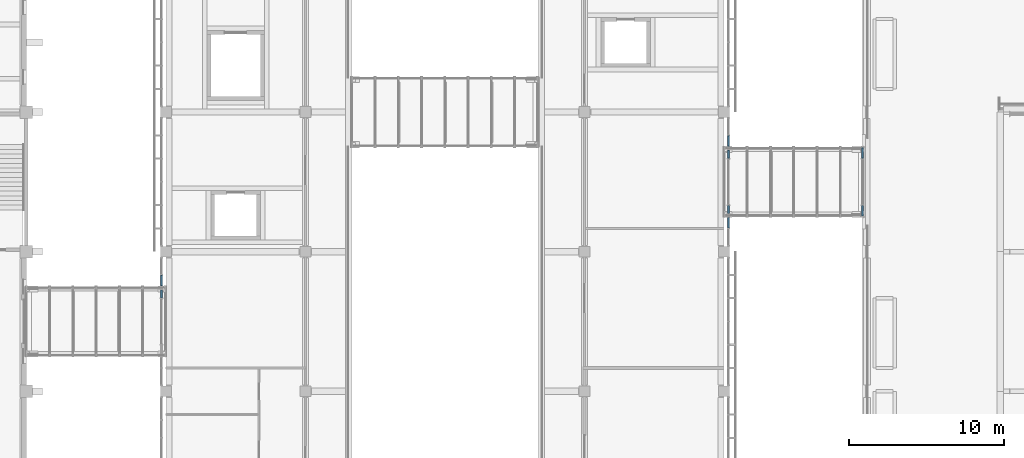
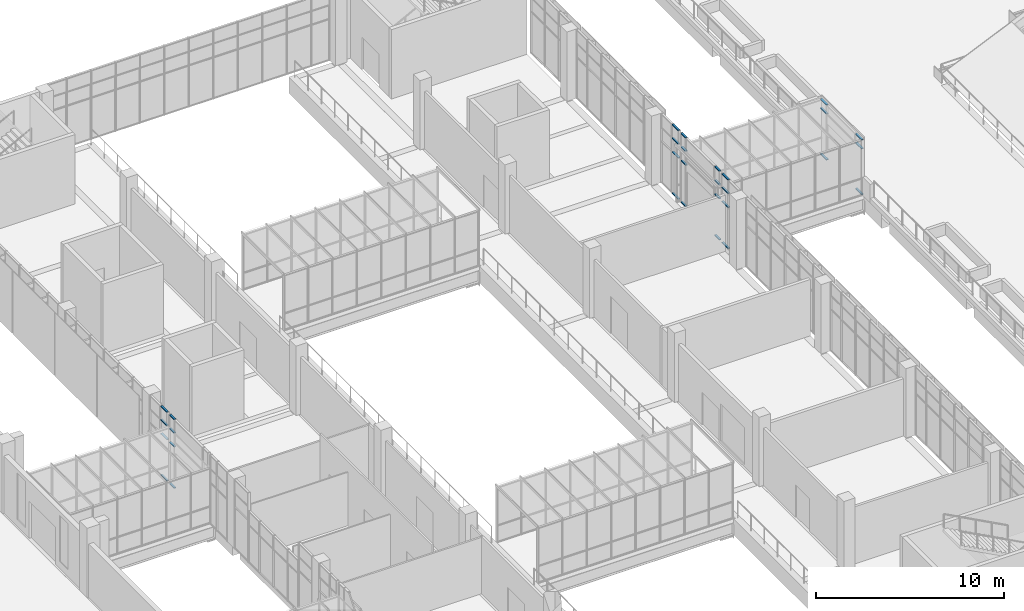
# One storey, part 48 of 106: 30 members, 6 elements without a shape of their own.
"""IFC4 building model written with IfcOpenShell, lengths in metres."""

import ifcopenshell
import ifcopenshell.guid

model = None  # the IFC model being written
_history = None  # IfcOwnerHistory: only IFC2X3 demands one
_inside = {}  # id of a spatial element -> (the spatial element, [elements in it])
_under = {}  # id of a project, library or spatial element -> (it, [spatial elements below it])
_declared = {}  # id of a project -> (the project, [libraries it declares])
_typed = {}  # id of a type object -> (the type object, [elements of that type])
_made_of = {}  # id of a material, layer set ... -> (it, [elements and type objects made of it])


def new_model(schema):
    """Start an empty IFC model of exactly this schema.

    Asked for "IFC4X3", IfcOpenShell would pick the latest addendum, in which some entities
    have other attributes; the version numbers below select the first issue.
    IFC2X3 requires an IfcOwnerHistory on every rooted entity: one is made here for all.
    """
    global model, _history
    if schema == "IFC4X3":
        model = ifcopenshell.file(schema_version=(4, 3, 0, 0))
    else:
        model = ifcopenshell.file(schema=schema)
    _inside.clear()
    _under.clear()
    _declared.clear()
    _typed.clear()
    _made_of.clear()
    _history = None
    if model.schema == "IFC2X3":
        org = make("IfcOrganization", Name="unknown")
        user = make(
            "IfcPersonAndOrganization",
            ThePerson=make("IfcPerson", FamilyName="unknown"),
            TheOrganization=org,
        )
        app = make(
            "IfcApplication",
            ApplicationDeveloper=org,
            Version="unknown",
            ApplicationFullName="unknown",
            ApplicationIdentifier="unknown",
        )
        _history = make(
            "IfcOwnerHistory",
            OwningUser=user,
            OwningApplication=app,
            ChangeAction="ADDED",
            CreationDate=0,
        )
    return model


def make(cls, **values):
    """One entity of the class cls with the attributes given. An attribute that is None is left unset."""
    return model.create_entity(
        cls, **{name: value for name, value in values.items() if value is not None}
    )


def rooted(cls, **values):
    """An entity with a GlobalId (a new one), such as an element, a storey or a relation."""
    return make(cls, GlobalId=ifcopenshell.guid.new(), OwnerHistory=_history, **values)


def si_unit(unit_type, name, prefix=None):
    """IfcSIUnit, for example si_unit("LENGTHUNIT", "METRE", prefix="MILLI")."""
    return make("IfcSIUnit", UnitType=unit_type, Prefix=prefix, Name=name)


def assignment(units):
    """IfcUnitAssignment: the units of a project."""
    return None if units is None else make("IfcUnitAssignment", Units=units)


def point(xyz):
    """IfcCartesianPoint."""
    return None if xyz is None else make("IfcCartesianPoint", Coordinates=xyz)


def direction(xyz):
    """IfcDirection."""
    return None if xyz is None else make("IfcDirection", DirectionRatios=xyz)


def frame(location, z_axis=None, x_axis=None):
    """IfcAxis2Placement3D, a coordinate frame: its origin and axes. An axis left out is left unset."""
    return make(
        "IfcAxis2Placement3D",
        Location=point(location),
        Axis=direction(z_axis),
        RefDirection=direction(x_axis),
    )


def frame_2d(location, x_axis=None):
    """IfcAxis2Placement2D, a coordinate frame in the plane: its origin and x axis."""
    return make(
        "IfcAxis2Placement2D", Location=point(location), RefDirection=direction(x_axis)
    )


def origin():
    """The frame at (0, 0, 0) with its axes left unset."""
    return frame((0.0, 0.0, 0.0))


def origin_2d():
    """The frame at (0, 0) in the plane with its x axis left unset."""
    return frame_2d((0.0, 0.0))


def place(relative_to, where):
    """IfcLocalPlacement: puts the frame where relative to a parent placement (None: the world)."""
    return make(
        "IfcLocalPlacement", PlacementRelTo=relative_to, RelativePlacement=where
    )


def context(
    kind, dimensions, precision=None, world=None, true_north=None, identifier=None
):
    """IfcGeometricRepresentationContext, for example the 3D "Model" context."""
    return make(
        "IfcGeometricRepresentationContext",
        ContextIdentifier=identifier,
        ContextType=kind,
        CoordinateSpaceDimension=dimensions,
        Precision=precision,
        WorldCoordinateSystem=world,
        TrueNorth=true_north,
    )


def subcontext(parent, identifier, kind, view, scale=None):
    """IfcGeometricRepresentationSubContext, for example "Body" below "Model"."""
    return make(
        "IfcGeometricRepresentationSubContext",
        ContextIdentifier=identifier,
        ContextType=kind,
        ParentContext=parent,
        TargetScale=scale,
        TargetView=view,
    )


def project(units=None, contexts=None):
    """IfcProject with its units and contexts."""
    return rooted(
        "IfcProject",
        Name="project",
        RepresentationContexts=contexts,
        UnitsInContext=assignment(units),
    )


def spatial(cls, under=None, at=None, **own):
    """A site, building, storey or space (cls), placed at a placement, below another one or the project."""
    s = rooted(cls, ObjectPlacement=at, **own)
    if under is not None:
        _under.setdefault(under.id(), (under, []))[1].append(s)
    return s


def profile(cls, at=None, kind="AREA", **sizes):
    """A parametric profile (cls). Its sizes go by their IFC names, for example OverallWidth=200.0."""
    return make(cls, ProfileType=kind, Position=at, **sizes)


def rectangle(**sizes):
    """IfcRectangleProfileDef."""
    return profile("IfcRectangleProfileDef", **sizes)


def extrude(swept, where, along, depth):
    """IfcExtrudedAreaSolid: the profile swept, set in the frame where, extruded along a direction by depth."""
    return make(
        "IfcExtrudedAreaSolid",
        SweptArea=swept,
        Position=where,
        ExtrudedDirection=direction(along),
        Depth=depth,
    )


def shape(context_of_items, identifier, shape_type, items):
    """IfcShapeRepresentation: the items that make up one representation, for example the "Body"."""
    return make(
        "IfcShapeRepresentation",
        ContextOfItems=context_of_items,
        RepresentationIdentifier=identifier,
        RepresentationType=shape_type,
        Items=items,
    )


def material(Name=None, Category=None):
    """IfcMaterial."""
    return make("IfcMaterial", Name=Name, Category=Category)


def layer(
    of_material, thickness, ventilated=None, Name=None, Category=None, Priority=None
):
    """IfcMaterialLayer: one layer of a wall or slab, of a material (None: an air gap)."""
    return make(
        "IfcMaterialLayer",
        Material=of_material,
        LayerThickness=thickness,
        IsVentilated=ventilated,
        Name=Name,
        Category=Category,
        Priority=Priority,
    )


def layer_set(layers, Name=None):
    """IfcMaterialLayerSet."""
    return make("IfcMaterialLayerSet", MaterialLayers=layers, LayerSetName=Name)


def material_profile(
    of_material, cross_section, Name=None, Category=None, Priority=None
):
    """IfcMaterialProfile: a cross section and its material."""
    return make(
        "IfcMaterialProfile",
        Name=Name,
        Material=of_material,
        Profile=cross_section,
        Priority=Priority,
        Category=Category,
    )


def profile_set(profiles, Name=None, composite=None):
    """IfcMaterialProfileSet."""
    return make(
        "IfcMaterialProfileSet",
        Name=Name,
        MaterialProfiles=profiles,
        CompositeProfile=composite,
    )


def made_of(thing, what):
    """Note that an element or type object is made of a material, layer set ...; save() writes the relation."""
    if what is not None:
        _made_of.setdefault(what.id(), (what, []))[1].append(thing)
    return thing


def type_object(cls, material=None, **own):
    """A type object (cls), such as IfcWallType, which elements share."""
    return made_of(rooted(cls, **own), material)


def element(
    cls,
    number,
    at=None,
    inside=None,
    cuts=None,
    type_object=None,
    material=None,
    context=None,
    identifier="Body",
    shape_type=None,
    held_by="IfcProductDefinitionShape",
    body=None,
    shapes=None,
    **own,
):
    """One element of the class cls, such as IfcWall. Its Tag is "e" and its number.

    at: its placement. inside: the storey or other place that contains it. cuts: it is an
    opening in that element (IfcRelVoidsElement). A single representation is given by context,
    identifier, shape_type and body (its items); several are given by shapes. held_by: the class
    of the entity that holds the representations. save() writes the other relations.
    """
    e = rooted(cls, Tag="e%d" % number, ObjectPlacement=at, **own)
    if body is not None:
        shapes = [shape(context, identifier, shape_type, body)]
    if shapes is not None:
        e.Representation = make(held_by, Representations=shapes)
    if inside is not None:
        _inside.setdefault(inside.id(), (inside, []))[1].append(e)
    if cuts is not None:
        rooted(
            "IfcRelVoidsElement", RelatingBuildingElement=cuts, RelatedOpeningElement=e
        )
    if type_object is not None:
        _typed.setdefault(type_object.id(), (type_object, []))[1].append(e)
    return made_of(e, material)


def aggregate(whole, parts):
    """IfcRelAggregates: a whole, such as a stair, and the parts it consists of."""
    return rooted("IfcRelAggregates", RelatingObject=whole, RelatedObjects=parts)


def save(model, path):
    """Write the relations noted so far, then the file.

    IfcRelAggregates (storeys below a building ...), IfcRelContainedInSpatialStructure (elements
    in a storey), IfcRelDefinesByType, IfcRelAssociatesMaterial and IfcRelDeclares: one each for
    every whole, place, type object, material and project.
    """
    for whole, parts in _under.values():
        aggregate(whole, parts)
    for where, things in _inside.values():
        rooted(
            "IfcRelContainedInSpatialStructure",
            RelatedElements=things,
            RelatingStructure=where,
        )
    for kind, things in _typed.values():
        rooted("IfcRelDefinesByType", RelatedObjects=things, RelatingType=kind)
    for what, things in _made_of.values():
        rooted("IfcRelAssociatesMaterial", RelatedObjects=things, RelatingMaterial=what)
    for by, libraries in _declared.values():
        rooted("IfcRelDeclares", RelatingContext=by, RelatedDefinitions=libraries)
    model.write(path)


model = new_model("IFC4")

# Units and contexts
model_context = context("Model", 3, precision=1e-05, world=origin(), true_north=direction((0.0, 1.0)))
body_context = subcontext(model_context, "Body", "Model", "MODEL_VIEW")
ifc_project = project(units=[si_unit("LENGTHUNIT", "METRE"), si_unit("AREAUNIT", "SQUARE_METRE"), si_unit("VOLUMEUNIT", "CUBIC_METRE"), si_unit("PLANEANGLEUNIT", "RADIAN"), si_unit("MASSUNIT", "GRAM", prefix="KILO")], contexts=[model_context])

# Site, building, storey
site_placement = place(None, origin())
site = spatial("IfcSite", under=ifc_project, at=site_placement, CompositionType="ELEMENT")
building_placement = place(site_placement, origin())
building = spatial("IfcBuilding", under=site, at=building_placement, Name="Guidao Yard Department Store", CompositionType="ELEMENT")
storey_placement = place(building_placement, frame((0.0, 0.0, 10.5)))
storey = spatial("IfcBuildingStorey", under=building, at=storey_placement, Name="L02", CompositionType="ELEMENT", Elevation=10.5)

# Curtain wall, members
ifc_material_1 = material(Name="Aluminium and glass", Category="aluminium")
ifc_layer_1 = layer(ifc_material_1, 0.159912109375)
ifc_layer_set_1 = layer_set([ifc_layer_1], Name="Shopfront curtain wall CW1 1500 module")
curtain_wall_type_1 = type_object("IfcCurtainWallType", Name="Shopfront curtain wall CW1 1500 module", PredefinedType="NOTDEFINED", material=ifc_layer_set_1)
curtain_wall_1_placement = place(storey_placement, origin())
curtain_wall_1 = element("IfcCurtainWall", 1, at=curtain_wall_1_placement, inside=storey, type_object=curtain_wall_type_1, Name="Arcade shop front", PredefinedType="NOTDEFINED")
ifc_material_2 = material(Name="Aluminium 6063-T5", Category="aluminium")
ifc_material_profile = material_profile(ifc_material_2, rectangle(XDim=0.1201171875, YDim=0.06005859375, at=origin_2d()), Name="Transom T1 60 x 120 aluminium pressure plate")
ifc_profile_set = profile_set([ifc_material_profile], Name="Aluminium 6063-T5")
member_type = type_object("IfcMemberType", Name="Transom T1 60 x 120 aluminium pressure plate", PredefinedType="USERDEFINED", material=ifc_profile_set)
member_1_placement = place(storey_placement, frame((71.719970703125, 78.030029296875, 0.030029296875), z_axis=(0.0, 1.0, 0.0), x_axis=(-1.0, 0.0, 0.0)))
member_1 = element("IfcMember", 2, at=member_1_placement, type_object=member_type, Name="CW-AS-L02-09 transom 3.1", ObjectType="TRANSOM", PredefinedType="USERDEFINED", context=body_context, shape_type="SweptSolid", body=[
    extrude(rectangle(XDim=0.1201171875, YDim=0.06005859375, at=origin_2d()), origin(), (0.0, 0.0, 1.0), 0.5),
])
member_2_placement = place(storey_placement, frame((71.719970703125, 78.030029296875, 2.699951171875), z_axis=(0.0, 1.0, 0.0), x_axis=(-1.0, 0.0, 0.0)))
member_2 = element("IfcMember", 3, at=member_2_placement, type_object=member_type, Name="CW-AS-L02-09 transom 3.2", ObjectType="TRANSOM", PredefinedType="USERDEFINED", context=body_context, shape_type="SweptSolid", body=[
    extrude(rectangle(XDim=0.1201171875, YDim=0.06005859375, at=origin_2d()), origin(), (0.0, 0.0, 1.0), 0.5),
])
member_3_placement = place(storey_placement, frame((71.719970703125, 78.030029296875, 3.60009765625), z_axis=(0.0, 1.0, 0.0), x_axis=(-1.0, 0.0, 0.0)))
member_3 = element("IfcMember", 4, at=member_3_placement, type_object=member_type, Name="CW-AS-L02-09 transom 3.3", ObjectType="TRANSOM", PredefinedType="USERDEFINED", context=body_context, shape_type="SweptSolid", body=[
    extrude(rectangle(XDim=0.1201171875, YDim=0.06005859375, at=origin_2d()), origin(), (0.0, 0.0, 1.0), 0.5),
])
member_4_placement = place(storey_placement, frame((71.719970703125, 78.030029296875, 4.469970703125), z_axis=(0.0, 1.0, 0.0), x_axis=(-1.0, 0.0, 0.0)))
member_4 = element("IfcMember", 5, at=member_4_placement, type_object=member_type, Name="CW-AS-L02-09 transom 3.4", ObjectType="TRANSOM", PredefinedType="USERDEFINED", context=body_context, shape_type="SweptSolid", body=[
    extrude(rectangle(XDim=0.1201171875, YDim=0.06005859375, at=origin_2d()), origin(), (0.0, 0.0, 1.0), 0.5),
])
aggregate(curtain_wall_1, [member_1, member_2, member_3, member_4])

curtain_wall_2_placement = place(storey_placement, origin())
curtain_wall_2 = element("IfcCurtainWall", 6, at=curtain_wall_2_placement, inside=storey, type_object=curtain_wall_type_1, Name="Arcade shop front", PredefinedType="NOTDEFINED")
member_5_placement = place(storey_placement, frame((71.719970703125, 78.81005859375, 0.030029296875), z_axis=(0.0, 1.0, 0.0), x_axis=(-1.0, 0.0, 0.0)))
member_5 = element("IfcMember", 7, at=member_5_placement, type_object=member_type, Name="CW-AS-L02-10 transom 1.1", ObjectType="TRANSOM", PredefinedType="USERDEFINED", context=body_context, shape_type="SweptSolid", body=[
    extrude(rectangle(XDim=0.1201171875, YDim=0.06005859375, at=origin_2d()), origin(), (0.0, 0.0, 1.0), 0.659912109375),
])
member_6_placement = place(storey_placement, frame((71.719970703125, 78.81005859375, 2.699951171875), z_axis=(0.0, 1.0, 0.0), x_axis=(-1.0, 0.0, 0.0)))
member_6 = element("IfcMember", 8, at=member_6_placement, type_object=member_type, Name="CW-AS-L02-10 transom 1.2", ObjectType="TRANSOM", PredefinedType="USERDEFINED", context=body_context, shape_type="SweptSolid", body=[
    extrude(rectangle(XDim=0.1201171875, YDim=0.06005859375, at=origin_2d()), origin(), (0.0, 0.0, 1.0), 0.659912109375),
])
member_7_placement = place(storey_placement, frame((71.719970703125, 78.81005859375, 3.60009765625), z_axis=(0.0, 1.0, 0.0), x_axis=(-1.0, 0.0, 0.0)))
member_7 = element("IfcMember", 9, at=member_7_placement, type_object=member_type, Name="CW-AS-L02-10 transom 1.3", ObjectType="TRANSOM", PredefinedType="USERDEFINED", context=body_context, shape_type="SweptSolid", body=[
    extrude(rectangle(XDim=0.1201171875, YDim=0.06005859375, at=origin_2d()), origin(), (0.0, 0.0, 1.0), 0.659912109375),
])
member_8_placement = place(storey_placement, frame((71.719970703125, 78.81005859375, 4.469970703125), z_axis=(0.0, 1.0, 0.0), x_axis=(-1.0, 0.0, 0.0)))
member_8 = element("IfcMember", 10, at=member_8_placement, type_object=member_type, Name="CW-AS-L02-10 transom 1.4", ObjectType="TRANSOM", PredefinedType="USERDEFINED", context=body_context, shape_type="SweptSolid", body=[
    extrude(rectangle(XDim=0.1201171875, YDim=0.06005859375, at=origin_2d()), origin(), (0.0, 0.0, 1.0), 0.659912109375),
])
aggregate(curtain_wall_2, [member_5, member_6, member_7, member_8])

curtain_wall_3_placement = place(storey_placement, origin())
curtain_wall_3 = element("IfcCurtainWall", 11, at=curtain_wall_3_placement, inside=storey, type_object=curtain_wall_type_1, Name="Arcade shop front", PredefinedType="NOTDEFINED")
member_9_placement = place(storey_placement, frame((108.280029296875, 83.18994140625, 0.030029296875), z_axis=(0.0, -1.0, 0.0), x_axis=(1.0, 0.0, 0.0)))
member_9 = element("IfcMember", 12, at=member_9_placement, type_object=member_type, Name="CW-AS-L02-18 transom 2.1", ObjectType="TRANSOM", PredefinedType="USERDEFINED", context=body_context, shape_type="SweptSolid", body=[
    extrude(rectangle(XDim=0.1201171875, YDim=0.06005859375, at=origin_2d()), origin(), (0.0, 0.0, 1.0), 0.659912109375),
])
member_10_placement = place(storey_placement, frame((108.280029296875, 83.18994140625, 2.699951171875), z_axis=(0.0, -1.0, 0.0), x_axis=(1.0, 0.0, 0.0)))
member_10 = element("IfcMember", 13, at=member_10_placement, type_object=member_type, Name="CW-AS-L02-18 transom 2.2", ObjectType="TRANSOM", PredefinedType="USERDEFINED", context=body_context, shape_type="SweptSolid", body=[
    extrude(rectangle(XDim=0.1201171875, YDim=0.06005859375, at=origin_2d()), origin(), (0.0, 0.0, 1.0), 0.659912109375),
])
member_11_placement = place(storey_placement, frame((108.280029296875, 83.18994140625, 3.60009765625), z_axis=(0.0, -1.0, 0.0), x_axis=(1.0, 0.0, 0.0)))
member_11 = element("IfcMember", 14, at=member_11_placement, type_object=member_type, Name="CW-AS-L02-18 transom 2.3", ObjectType="TRANSOM", PredefinedType="USERDEFINED", context=body_context, shape_type="SweptSolid", body=[
    extrude(rectangle(XDim=0.1201171875, YDim=0.06005859375, at=origin_2d()), origin(), (0.0, 0.0, 1.0), 0.659912109375),
])
member_12_placement = place(storey_placement, frame((108.280029296875, 83.18994140625, 4.469970703125), z_axis=(0.0, -1.0, 0.0), x_axis=(1.0, 0.0, 0.0)))
member_12 = element("IfcMember", 15, at=member_12_placement, type_object=member_type, Name="CW-AS-L02-18 transom 2.4", ObjectType="TRANSOM", PredefinedType="USERDEFINED", context=body_context, shape_type="SweptSolid", body=[
    extrude(rectangle(XDim=0.1201171875, YDim=0.06005859375, at=origin_2d()), origin(), (0.0, 0.0, 1.0), 0.659912109375),
])
aggregate(curtain_wall_3, [member_9, member_10, member_11, member_12])

curtain_wall_4_placement = place(storey_placement, origin())
curtain_wall_4 = element("IfcCurtainWall", 16, at=curtain_wall_4_placement, inside=storey, type_object=curtain_wall_type_1, Name="Arcade shop front", PredefinedType="NOTDEFINED")
member_13_placement = place(storey_placement, frame((108.280029296875, 83.969970703125, 0.030029296875), z_axis=(0.0, -1.0, 0.0), x_axis=(1.0, 0.0, 0.0)))
member_13 = element("IfcMember", 17, at=member_13_placement, type_object=member_type, Name="CW-AS-L02-19 transom 1.1", ObjectType="TRANSOM", PredefinedType="USERDEFINED", context=body_context, shape_type="SweptSolid", body=[
    extrude(rectangle(XDim=0.1201171875, YDim=0.06005859375, at=origin_2d()), origin(), (0.0, 0.0, 1.0), 0.5),
])
member_14_placement = place(storey_placement, frame((108.280029296875, 83.969970703125, 2.699951171875), z_axis=(0.0, -1.0, 0.0), x_axis=(1.0, 0.0, 0.0)))
member_14 = element("IfcMember", 18, at=member_14_placement, type_object=member_type, Name="CW-AS-L02-19 transom 1.2", ObjectType="TRANSOM", PredefinedType="USERDEFINED", context=body_context, shape_type="SweptSolid", body=[
    extrude(rectangle(XDim=0.1201171875, YDim=0.06005859375, at=origin_2d()), origin(), (0.0, 0.0, 1.0), 0.5),
])
member_15_placement = place(storey_placement, frame((108.280029296875, 83.969970703125, 3.60009765625), z_axis=(0.0, -1.0, 0.0), x_axis=(1.0, 0.0, 0.0)))
member_15 = element("IfcMember", 19, at=member_15_placement, type_object=member_type, Name="CW-AS-L02-19 transom 1.3", ObjectType="TRANSOM", PredefinedType="USERDEFINED", context=body_context, shape_type="SweptSolid", body=[
    extrude(rectangle(XDim=0.1201171875, YDim=0.06005859375, at=origin_2d()), origin(), (0.0, 0.0, 1.0), 0.5),
])
member_16_placement = place(storey_placement, frame((108.280029296875, 83.969970703125, 4.469970703125), z_axis=(0.0, -1.0, 0.0), x_axis=(1.0, 0.0, 0.0)))
member_16 = element("IfcMember", 20, at=member_16_placement, type_object=member_type, Name="CW-AS-L02-19 transom 1.4", ObjectType="TRANSOM", PredefinedType="USERDEFINED", context=body_context, shape_type="SweptSolid", body=[
    extrude(rectangle(XDim=0.1201171875, YDim=0.06005859375, at=origin_2d()), origin(), (0.0, 0.0, 1.0), 0.5),
])
member_17_placement = place(storey_placement, frame((108.280029296875, 87.530029296875, 0.030029296875), z_axis=(0.0, -1.0, 0.0), x_axis=(1.0, 0.0, 0.0)))
member_17 = element("IfcMember", 21, at=member_17_placement, type_object=member_type, Name="CW-AS-L02-19 transom 3.1", ObjectType="TRANSOM", PredefinedType="USERDEFINED", context=body_context, shape_type="SweptSolid", body=[
    extrude(rectangle(XDim=0.1201171875, YDim=0.06005859375, at=origin_2d()), origin(), (0.0, 0.0, 1.0), 0.5),
])
member_18_placement = place(storey_placement, frame((108.280029296875, 87.530029296875, 2.699951171875), z_axis=(0.0, -1.0, 0.0), x_axis=(1.0, 0.0, 0.0)))
member_18 = element("IfcMember", 22, at=member_18_placement, type_object=member_type, Name="CW-AS-L02-19 transom 3.2", ObjectType="TRANSOM", PredefinedType="USERDEFINED", context=body_context, shape_type="SweptSolid", body=[
    extrude(rectangle(XDim=0.1201171875, YDim=0.06005859375, at=origin_2d()), origin(), (0.0, 0.0, 1.0), 0.5),
])
member_19_placement = place(storey_placement, frame((108.280029296875, 87.530029296875, 3.60009765625), z_axis=(0.0, -1.0, 0.0), x_axis=(1.0, 0.0, 0.0)))
member_19 = element("IfcMember", 23, at=member_19_placement, type_object=member_type, Name="CW-AS-L02-19 transom 3.3", ObjectType="TRANSOM", PredefinedType="USERDEFINED", context=body_context, shape_type="SweptSolid", body=[
    extrude(rectangle(XDim=0.1201171875, YDim=0.06005859375, at=origin_2d()), origin(), (0.0, 0.0, 1.0), 0.5),
])
member_20_placement = place(storey_placement, frame((108.280029296875, 87.530029296875, 4.469970703125), z_axis=(0.0, -1.0, 0.0), x_axis=(1.0, 0.0, 0.0)))
member_20 = element("IfcMember", 24, at=member_20_placement, type_object=member_type, Name="CW-AS-L02-19 transom 3.4", ObjectType="TRANSOM", PredefinedType="USERDEFINED", context=body_context, shape_type="SweptSolid", body=[
    extrude(rectangle(XDim=0.1201171875, YDim=0.06005859375, at=origin_2d()), origin(), (0.0, 0.0, 1.0), 0.5),
])
aggregate(curtain_wall_4, [member_13, member_14, member_15, member_16, member_17, member_18, member_19, member_20])

curtain_wall_5_placement = place(storey_placement, origin())
curtain_wall_5 = element("IfcCurtainWall", 25, at=curtain_wall_5_placement, inside=storey, type_object=curtain_wall_type_1, Name="Arcade shop front", PredefinedType="NOTDEFINED")
member_21_placement = place(storey_placement, frame((108.280029296875, 88.469970703125, 0.030029296875), z_axis=(0.0, -1.0, 0.0), x_axis=(1.0, 0.0, 0.0)))
member_21 = element("IfcMember", 26, at=member_21_placement, type_object=member_type, Name="CW-AS-L02-20 transom 1.1", ObjectType="TRANSOM", PredefinedType="USERDEFINED", context=body_context, shape_type="SweptSolid", body=[
    extrude(rectangle(XDim=0.1201171875, YDim=0.06005859375, at=origin_2d()), origin(), (0.0, 0.0, 1.0), 0.659912109375),
])
member_22_placement = place(storey_placement, frame((108.280029296875, 88.469970703125, 2.699951171875), z_axis=(0.0, -1.0, 0.0), x_axis=(1.0, 0.0, 0.0)))
member_22 = element("IfcMember", 27, at=member_22_placement, type_object=member_type, Name="CW-AS-L02-20 transom 1.2", ObjectType="TRANSOM", PredefinedType="USERDEFINED", context=body_context, shape_type="SweptSolid", body=[
    extrude(rectangle(XDim=0.1201171875, YDim=0.06005859375, at=origin_2d()), origin(), (0.0, 0.0, 1.0), 0.659912109375),
])
member_23_placement = place(storey_placement, frame((108.280029296875, 88.469970703125, 3.60009765625), z_axis=(0.0, -1.0, 0.0), x_axis=(1.0, 0.0, 0.0)))
member_23 = element("IfcMember", 28, at=member_23_placement, type_object=member_type, Name="CW-AS-L02-20 transom 1.3", ObjectType="TRANSOM", PredefinedType="USERDEFINED", context=body_context, shape_type="SweptSolid", body=[
    extrude(rectangle(XDim=0.1201171875, YDim=0.06005859375, at=origin_2d()), origin(), (0.0, 0.0, 1.0), 0.659912109375),
])
member_24_placement = place(storey_placement, frame((108.280029296875, 88.469970703125, 4.469970703125), z_axis=(0.0, -1.0, 0.0), x_axis=(1.0, 0.0, 0.0)))
member_24 = element("IfcMember", 29, at=member_24_placement, type_object=member_type, Name="CW-AS-L02-20 transom 1.4", ObjectType="TRANSOM", PredefinedType="USERDEFINED", context=body_context, shape_type="SweptSolid", body=[
    extrude(rectangle(XDim=0.1201171875, YDim=0.06005859375, at=origin_2d()), origin(), (0.0, 0.0, 1.0), 0.659912109375),
])
aggregate(curtain_wall_5, [member_21, member_22, member_23, member_24])

ifc_material_3 = material(Name="Aluminium and glass", Category="aluminium")
ifc_layer_2 = layer(ifc_material_3, 0.159912109375)
ifc_layer_set_2 = layer_set([ifc_layer_2], Name="Bridge glazing CW5 1500 module")
curtain_wall_type_2 = type_object("IfcCurtainWallType", Name="Bridge glazing CW5 1500 module", PredefinedType="NOTDEFINED", material=ifc_layer_set_2)
curtain_wall_6_placement = place(storey_placement, origin())
curtain_wall_6 = element("IfcCurtainWall", 30, at=curtain_wall_6_placement, inside=storey, type_object=curtain_wall_type_2, Name="Bridge end screen BR08", PredefinedType="NOTDEFINED")
member_25_placement = place(storey_placement, frame((116.919921875, 83.969970703125, 0.030029296875), z_axis=(0.0, -1.0, 0.0), x_axis=(1.0, 0.0, 0.0)))
member_25 = element("IfcMember", 31, at=member_25_placement, type_object=member_type, Name="CW-E-L02-07 transom 1.1", ObjectType="TRANSOM", PredefinedType="USERDEFINED", context=body_context, shape_type="SweptSolid", body=[
    extrude(rectangle(XDim=0.1201171875, YDim=0.06005859375, at=origin_2d()), origin(), (0.0, 0.0, 1.0), 0.659912109375),
])
member_26_placement = place(storey_placement, frame((116.919921875, 83.969970703125, 3.0), z_axis=(0.0, -1.0, 0.0), x_axis=(1.0, 0.0, 0.0)))
member_26 = element("IfcMember", 32, at=member_26_placement, type_object=member_type, Name="CW-E-L02-07 transom 1.2", ObjectType="TRANSOM", PredefinedType="USERDEFINED", context=body_context, shape_type="SweptSolid", body=[
    extrude(rectangle(XDim=0.1201171875, YDim=0.06005859375, at=origin_2d()), origin(), (0.0, 0.0, 1.0), 0.659912109375),
])
member_27_placement = place(storey_placement, frame((116.919921875, 83.969970703125, 3.570068359375), z_axis=(0.0, -1.0, 0.0), x_axis=(1.0, 0.0, 0.0)))
member_27 = element("IfcMember", 33, at=member_27_placement, type_object=member_type, Name="CW-E-L02-07 transom 1.3", ObjectType="TRANSOM", PredefinedType="USERDEFINED", context=body_context, shape_type="SweptSolid", body=[
    extrude(rectangle(XDim=0.1201171875, YDim=0.06005859375, at=origin_2d()), origin(), (0.0, 0.0, 1.0), 0.659912109375),
])
member_28_placement = place(storey_placement, frame((116.919921875, 87.68994140625, 0.030029296875), z_axis=(0.0, -1.0, 0.0), x_axis=(1.0, 0.0, 0.0)))
member_28 = element("IfcMember", 34, at=member_28_placement, type_object=member_type, Name="CW-E-L02-07 transom 3.1", ObjectType="TRANSOM", PredefinedType="USERDEFINED", context=body_context, shape_type="SweptSolid", body=[
    extrude(rectangle(XDim=0.1201171875, YDim=0.06005859375, at=origin_2d()), origin(), (0.0, 0.0, 1.0), 0.659912109375),
])
member_29_placement = place(storey_placement, frame((116.919921875, 87.68994140625, 3.0), z_axis=(0.0, -1.0, 0.0), x_axis=(1.0, 0.0, 0.0)))
member_29 = element("IfcMember", 35, at=member_29_placement, type_object=member_type, Name="CW-E-L02-07 transom 3.2", ObjectType="TRANSOM", PredefinedType="USERDEFINED", context=body_context, shape_type="SweptSolid", body=[
    extrude(rectangle(XDim=0.1201171875, YDim=0.06005859375, at=origin_2d()), origin(), (0.0, 0.0, 1.0), 0.659912109375),
])
member_30_placement = place(storey_placement, frame((116.919921875, 87.68994140625, 3.570068359375), z_axis=(0.0, -1.0, 0.0), x_axis=(1.0, 0.0, 0.0)))
member_30 = element("IfcMember", 36, at=member_30_placement, type_object=member_type, Name="CW-E-L02-07 transom 3.3", ObjectType="TRANSOM", PredefinedType="USERDEFINED", context=body_context, shape_type="SweptSolid", body=[
    extrude(rectangle(XDim=0.1201171875, YDim=0.06005859375, at=origin_2d()), origin(), (0.0, 0.0, 1.0), 0.659912109375),
])
aggregate(curtain_wall_6, [member_25, member_26, member_27, member_28, member_29, member_30])

save(model, "model.ifc")
